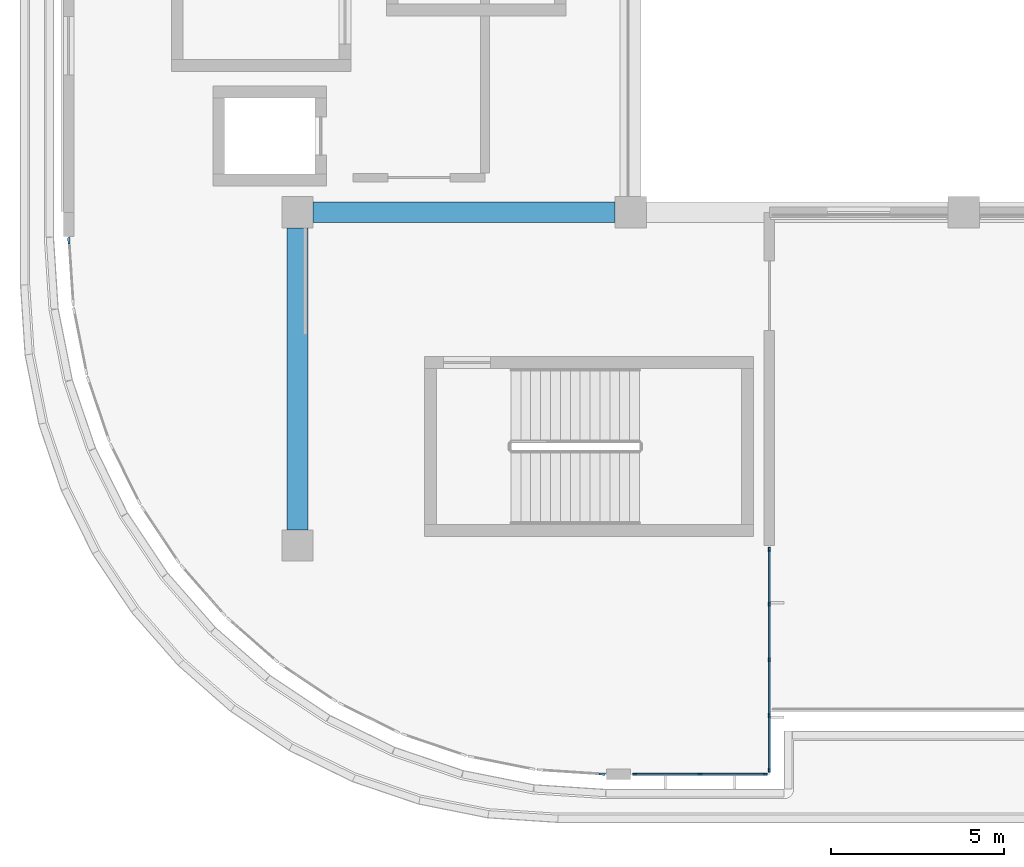
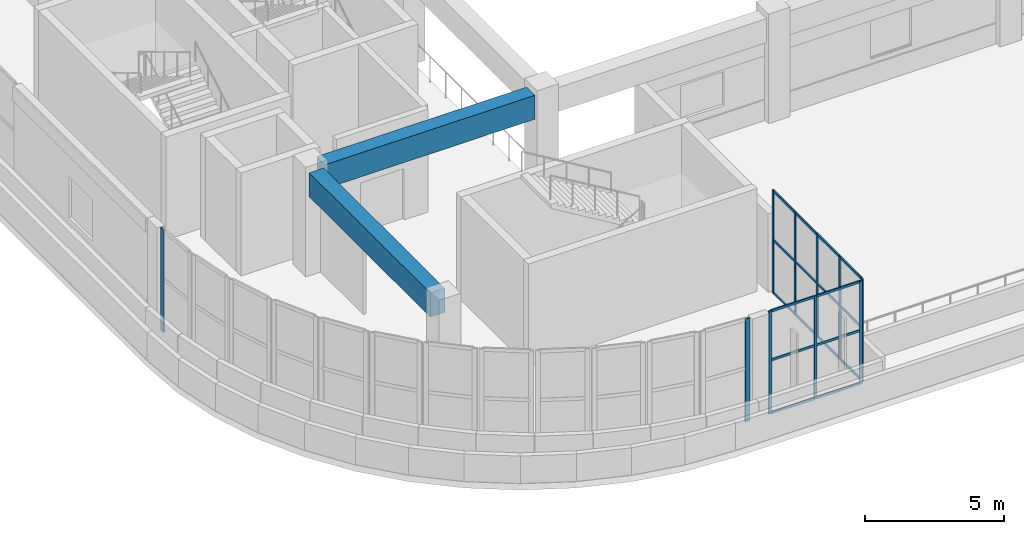
# One storey, part 3 of 96: 28 members, 2 beams, 4 elements without a shape of their own.
"""IFC4 building model written with IfcOpenShell, lengths in metres."""

from ifc_helpers import new_model, si_unit, direction, frame, origin, origin_2d, place, context, subcontext, project, spatial, rectangle, extrude, material, layer, layer_set, material_profile, profile_set, type_object, element, aggregate, save


model = new_model("IFC4")

# Units and contexts
model_context = context("Model", 3, precision=1e-05, world=origin(), true_north=direction((0.0, 1.0)))
body_context = subcontext(model_context, "Body", "Model", "MODEL_VIEW")
ifc_project = project(units=[si_unit("LENGTHUNIT", "METRE"), si_unit("AREAUNIT", "SQUARE_METRE"), si_unit("VOLUMEUNIT", "CUBIC_METRE"), si_unit("PLANEANGLEUNIT", "RADIAN"), si_unit("MASSUNIT", "GRAM", prefix="KILO")], contexts=[model_context])

# Site, building, storey
site_placement = place(None, origin())
site = spatial("IfcSite", under=ifc_project, at=site_placement, CompositionType="ELEMENT")
building_placement = place(site_placement, origin())
building = spatial("IfcBuilding", under=site, at=building_placement, Name="Cendralis Terraced Arcade", CompositionType="ELEMENT")
storey_placement = place(building_placement, frame((0.0, 0.0, 10.199951171875)))
storey = spatial("IfcBuildingStorey", under=building, at=storey_placement, Name="L02", CompositionType="ELEMENT", Elevation=10.199951171875)

# Beams
ifc_material_1 = material(Name="Concrete f'c 35 MPa", Category="concrete")
ifc_material_profile_1 = material_profile(ifc_material_1, rectangle(XDim=0.60009765625, YDim=1.050048828125, at=origin_2d()), Name="RC-BM-600x1050", Category="LoadBearing")
ifc_profile_set_1 = profile_set([ifc_material_profile_1], Name="Concrete f'c 35 MPa")
beam_type = type_object("IfcBeamType", Name="BM-600x1050", PredefinedType="JOIST", material=ifc_profile_set_1)
for number, where, z_axis, x_axis, name in (
    (1, (10.050048828125, 19.199951171875, 3.989990234375), (1.0, 0.0, 0.0), (0.0, 1.0, 0.0), "Reinforced Concrete Frame Beam BM-X-L03-C-2_3"),
    (2, (9.60009765625, 10.050048828125, 3.989990234375), (0.0, 1.0, 0.0), (-1.0, 0.0, 0.0), "Reinforced Concrete Frame Beam BM-Y-L03-2-B_C"),
):
    element("IfcBeam", number, at=place(storey_placement, frame(where, z_axis=z_axis, x_axis=x_axis)), inside=storey, type_object=beam_type, Name=name, PredefinedType="JOIST", context=body_context, shape_type="SweptSolid", body=[
        extrude(rectangle(XDim=0.60009765625, YDim=1.050048828125, at=origin_2d()), origin(), (0.0, 0.0, 1.0), 8.699951171875),
    ])

# Curtain wall, members
ifc_material_2 = material(Name="Anodised aluminium EN AW-6063 T6", Category="aluminium")
ifc_layer_1 = layer(ifc_material_2, 0.1201171875, Name="CW-STORE-B")
ifc_layer_set_1 = layer_set([ifc_layer_1], Name="Anodised aluminium EN AW-6063 T6")
curtain_wall_type_1 = type_object("IfcCurtainWallType", Name="CW-STORE-B", PredefinedType="USERDEFINED", material=ifc_layer_set_1)
curtain_wall_1_placement = place(storey_placement, origin())
curtain_wall_1 = element("IfcCurtainWall", 3, at=curtain_wall_1_placement, inside=storey, type_object=curtain_wall_type_1, Name="Exterior Storefront Glazing CW-L02-0207", ObjectType="STOREFRONT GLAZING", PredefinedType="USERDEFINED")
ifc_material_profile_2 = material_profile(ifc_material_2, rectangle(XDim=0.054931640625, YDim=0.1201171875, at=origin_2d()), Name="ALU-MUL-55x120")
ifc_profile_set_2 = profile_set([ifc_material_profile_2], Name="Anodised aluminium EN AW-6063 T6")
member_type_1 = type_object("IfcMemberType", Name="CW-STORE-B-MUL", PredefinedType="MULLION", material=ifc_profile_set_2)
member_1_placement = place(storey_placement, frame((23.199951171875, 9.482421875, 0.0), z_axis=(0.0, 0.0, 1.0), x_axis=(1.0, 0.0, 0.0)))
member_1 = element("IfcMember", 4, at=member_1_placement, type_object=member_type_1, Name="CW-S2 mullion 1", PredefinedType="MULLION", context=body_context, shape_type="SweptSolid", body=[
    extrude(rectangle(XDim=0.054931640625, YDim=0.1201171875, at=origin_2d()), origin(), (0.0, 0.0, 1.0), 4.51513671875),
])
member_2_placement = place(storey_placement, frame((23.199951171875, 7.905029296875, 0.0), z_axis=(0.0, 0.0, 1.0), x_axis=(1.0, 0.0, 0.0)))
member_2 = element("IfcMember", 5, at=member_2_placement, type_object=member_type_1, Name="CW-S2 mullion 2", PredefinedType="MULLION", context=body_context, shape_type="SweptSolid", body=[
    extrude(rectangle(XDim=0.054931640625, YDim=0.1201171875, at=origin_2d()), origin(), (0.0, 0.0, 1.0), 4.51513671875),
])
member_3_placement = place(storey_placement, frame((23.199951171875, 6.300048828125, 0.0), z_axis=(0.0, 0.0, 1.0), x_axis=(1.0, 0.0, 0.0)))
member_3 = element("IfcMember", 6, at=member_3_placement, type_object=member_type_1, Name="CW-S2 mullion 3", PredefinedType="MULLION", context=body_context, shape_type="SweptSolid", body=[
    extrude(rectangle(XDim=0.054931640625, YDim=0.1201171875, at=origin_2d()), origin(), (0.0, 0.0, 1.0), 4.51513671875),
])
member_4_placement = place(storey_placement, frame((23.199951171875, 4.695068359375, 0.0), z_axis=(0.0, 0.0, 1.0), x_axis=(1.0, 0.0, 0.0)))
member_4 = element("IfcMember", 7, at=member_4_placement, type_object=member_type_1, Name="CW-S2 mullion 4", PredefinedType="MULLION", context=body_context, shape_type="SweptSolid", body=[
    extrude(rectangle(XDim=0.054931640625, YDim=0.1201171875, at=origin_2d()), origin(), (0.0, 0.0, 1.0), 4.51513671875),
])
member_5_placement = place(storey_placement, frame((23.199951171875, 3.117431640625, 0.0), z_axis=(0.0, 0.0, 1.0), x_axis=(1.0, 0.0, 0.0)))
member_5 = element("IfcMember", 8, at=member_5_placement, type_object=member_type_1, Name="CW-S2 mullion 5", PredefinedType="MULLION", context=body_context, shape_type="SweptSolid", body=[
    extrude(rectangle(XDim=0.054931640625, YDim=0.1201171875, at=origin_2d()), origin(), (0.0, 0.0, 1.0), 4.51513671875),
])

curtain_wall_2_placement = place(storey_placement, origin())
curtain_wall_2 = element("IfcCurtainWall", 9, at=curtain_wall_2_placement, inside=storey, type_object=curtain_wall_type_1, Name="Exterior Storefront Glazing CW-L02-0208", ObjectType="STOREFRONT GLAZING", PredefinedType="USERDEFINED")
member_6_placement = place(storey_placement, frame((23.08251953125, 3.0, 0.0), z_axis=(0.0, 0.0, 1.0), x_axis=(0.0, -1.0, 0.0)))
member_6 = element("IfcMember", 10, at=member_6_placement, type_object=member_type_1, Name="CW-S2 mullion 1", PredefinedType="MULLION", context=body_context, shape_type="SweptSolid", body=[
    extrude(rectangle(XDim=0.054931640625, YDim=0.1201171875, at=origin_2d()), origin(), (0.0, 0.0, 1.0), 4.51513671875),
])
member_7_placement = place(storey_placement, frame((21.199951171875, 3.0, 0.0), z_axis=(0.0, 0.0, 1.0), x_axis=(0.0, -1.0, 0.0)))
member_7 = element("IfcMember", 11, at=member_7_placement, type_object=member_type_1, Name="CW-S2 mullion 2", PredefinedType="MULLION", context=body_context, shape_type="SweptSolid", body=[
    extrude(rectangle(XDim=0.054931640625, YDim=0.1201171875, at=origin_2d()), origin(), (0.0, 0.0, 1.0), 4.51513671875),
])
member_8_placement = place(storey_placement, frame((19.3173828125, 3.0, 0.0), z_axis=(0.0, 0.0, 1.0), x_axis=(0.0, -1.0, 0.0)))
member_8 = element("IfcMember", 12, at=member_8_placement, type_object=member_type_1, Name="CW-S2 mullion 3", PredefinedType="MULLION", context=body_context, shape_type="SweptSolid", body=[
    extrude(rectangle(XDim=0.054931640625, YDim=0.1201171875, at=origin_2d()), origin(), (0.0, 0.0, 1.0), 4.51513671875),
])

# Member
ifc_material_profile_3 = material_profile(ifc_material_2, rectangle(XDim=0.054931640625, YDim=0.10009765625, at=origin_2d()), Name="ALU-TRN-55x100")
ifc_profile_set_3 = profile_set([ifc_material_profile_3], Name="Anodised aluminium EN AW-6063 T6")
member_type_2 = type_object("IfcMemberType", Name="CW-STORE-B-TRN", PredefinedType="USERDEFINED", material=ifc_profile_set_3)
member_9_placement = place(storey_placement, frame((23.199951171875, 9.455078125, 0.027587890625), z_axis=(0.0, -1.0, 0.0), x_axis=(1.0, 0.0, 0.0)))
member_9 = element("IfcMember", 13, at=member_9_placement, type_object=member_type_2, Name="CW-S2 transom 1.1", ObjectType="TRANSOM", PredefinedType="USERDEFINED", context=body_context, shape_type="SweptSolid", body=[
    extrude(rectangle(XDim=0.054931640625, YDim=0.10009765625, at=origin_2d()), origin(), (0.0, 0.0, 1.0), 1.5224609375),
])

member_10_placement = place(storey_placement, frame((23.199951171875, 9.455078125, 2.347900390625), z_axis=(0.0, -1.0, 0.0), x_axis=(1.0, 0.0, 0.0)))
member_10 = element("IfcMember", 14, at=member_10_placement, type_object=member_type_2, Name="CW-S2 transom 1.2", ObjectType="TRANSOM", PredefinedType="USERDEFINED", context=body_context, shape_type="SweptSolid", body=[
    extrude(rectangle(XDim=0.054931640625, YDim=0.10009765625, at=origin_2d()), origin(), (0.0, 0.0, 1.0), 1.5224609375),
])

member_11_placement = place(storey_placement, frame((23.199951171875, 9.455078125, 4.487548828125), z_axis=(0.0, -1.0, 0.0), x_axis=(1.0, 0.0, 0.0)))
member_11 = element("IfcMember", 15, at=member_11_placement, type_object=member_type_2, Name="CW-S2 transom 1.3", ObjectType="TRANSOM", PredefinedType="USERDEFINED", context=body_context, shape_type="SweptSolid", body=[
    extrude(rectangle(XDim=0.054931640625, YDim=0.10009765625, at=origin_2d()), origin(), (0.0, 0.0, 1.0), 1.5224609375),
])

member_12_placement = place(storey_placement, frame((23.199951171875, 7.87744140625, 0.027587890625), z_axis=(0.0, -1.0, 0.0), x_axis=(1.0, 0.0, 0.0)))
member_12 = element("IfcMember", 16, at=member_12_placement, type_object=member_type_2, Name="CW-S2 transom 2.1", ObjectType="TRANSOM", PredefinedType="USERDEFINED", context=body_context, shape_type="SweptSolid", body=[
    extrude(rectangle(XDim=0.054931640625, YDim=0.10009765625, at=origin_2d()), origin(), (0.0, 0.0, 1.0), 1.550048828125),
])

member_13_placement = place(storey_placement, frame((23.199951171875, 7.87744140625, 2.347900390625), z_axis=(0.0, -1.0, 0.0), x_axis=(1.0, 0.0, 0.0)))
member_13 = element("IfcMember", 17, at=member_13_placement, type_object=member_type_2, Name="CW-S2 transom 2.2", ObjectType="TRANSOM", PredefinedType="USERDEFINED", context=body_context, shape_type="SweptSolid", body=[
    extrude(rectangle(XDim=0.054931640625, YDim=0.10009765625, at=origin_2d()), origin(), (0.0, 0.0, 1.0), 1.550048828125),
])

member_14_placement = place(storey_placement, frame((23.199951171875, 7.87744140625, 4.487548828125), z_axis=(0.0, -1.0, 0.0), x_axis=(1.0, 0.0, 0.0)))
member_14 = element("IfcMember", 18, at=member_14_placement, type_object=member_type_2, Name="CW-S2 transom 2.3", ObjectType="TRANSOM", PredefinedType="USERDEFINED", context=body_context, shape_type="SweptSolid", body=[
    extrude(rectangle(XDim=0.054931640625, YDim=0.10009765625, at=origin_2d()), origin(), (0.0, 0.0, 1.0), 1.550048828125),
])

member_15_placement = place(storey_placement, frame((23.199951171875, 6.2724609375, 0.027587890625), z_axis=(0.0, -1.0, 0.0), x_axis=(1.0, 0.0, 0.0)))
member_15 = element("IfcMember", 19, at=member_15_placement, type_object=member_type_2, Name="CW-S2 transom 3.1", ObjectType="TRANSOM", PredefinedType="USERDEFINED", context=body_context, shape_type="SweptSolid", body=[
    extrude(rectangle(XDim=0.054931640625, YDim=0.10009765625, at=origin_2d()), origin(), (0.0, 0.0, 1.0), 1.550048828125),
])

member_16_placement = place(storey_placement, frame((23.199951171875, 6.2724609375, 2.347900390625), z_axis=(0.0, -1.0, 0.0), x_axis=(1.0, 0.0, 0.0)))
member_16 = element("IfcMember", 20, at=member_16_placement, type_object=member_type_2, Name="CW-S2 transom 3.2", ObjectType="TRANSOM", PredefinedType="USERDEFINED", context=body_context, shape_type="SweptSolid", body=[
    extrude(rectangle(XDim=0.054931640625, YDim=0.10009765625, at=origin_2d()), origin(), (0.0, 0.0, 1.0), 1.550048828125),
])

member_17_placement = place(storey_placement, frame((23.199951171875, 6.2724609375, 4.487548828125), z_axis=(0.0, -1.0, 0.0), x_axis=(1.0, 0.0, 0.0)))
member_17 = element("IfcMember", 21, at=member_17_placement, type_object=member_type_2, Name="CW-S2 transom 3.3", ObjectType="TRANSOM", PredefinedType="USERDEFINED", context=body_context, shape_type="SweptSolid", body=[
    extrude(rectangle(XDim=0.054931640625, YDim=0.10009765625, at=origin_2d()), origin(), (0.0, 0.0, 1.0), 1.550048828125),
])

member_18_placement = place(storey_placement, frame((23.199951171875, 4.66748046875, 0.027587890625), z_axis=(0.0, -1.0, 0.0), x_axis=(1.0, 0.0, 0.0)))
member_18 = element("IfcMember", 22, at=member_18_placement, type_object=member_type_2, Name="CW-S2 transom 4.1", ObjectType="TRANSOM", PredefinedType="USERDEFINED", context=body_context, shape_type="SweptSolid", body=[
    extrude(rectangle(XDim=0.054931640625, YDim=0.10009765625, at=origin_2d()), origin(), (0.0, 0.0, 1.0), 1.5224609375),
])

member_19_placement = place(storey_placement, frame((23.199951171875, 4.66748046875, 2.347900390625), z_axis=(0.0, -1.0, 0.0), x_axis=(1.0, 0.0, 0.0)))
member_19 = element("IfcMember", 23, at=member_19_placement, type_object=member_type_2, Name="CW-S2 transom 4.2", ObjectType="TRANSOM", PredefinedType="USERDEFINED", context=body_context, shape_type="SweptSolid", body=[
    extrude(rectangle(XDim=0.054931640625, YDim=0.10009765625, at=origin_2d()), origin(), (0.0, 0.0, 1.0), 1.5224609375),
])

member_20_placement = place(storey_placement, frame((23.199951171875, 4.66748046875, 4.487548828125), z_axis=(0.0, -1.0, 0.0), x_axis=(1.0, 0.0, 0.0)))
member_20 = element("IfcMember", 24, at=member_20_placement, type_object=member_type_2, Name="CW-S2 transom 4.3", ObjectType="TRANSOM", PredefinedType="USERDEFINED", context=body_context, shape_type="SweptSolid", body=[
    extrude(rectangle(XDim=0.054931640625, YDim=0.10009765625, at=origin_2d()), origin(), (0.0, 0.0, 1.0), 1.5224609375),
])

aggregate(curtain_wall_1, [member_1, member_2, member_3, member_4, member_5, member_9, member_10, member_11, member_12, member_13, member_14, member_15, member_16, member_17, member_18, member_19, member_20])

member_21_placement = place(storey_placement, frame((23.054931640625, 3.0, 0.027587890625), z_axis=(-1.0, 0.0, 0.0), x_axis=(0.0, -1.0, 0.0)))
member_21 = element("IfcMember", 25, at=member_21_placement, type_object=member_type_2, Name="CW-S2 transom 1.1", ObjectType="TRANSOM", PredefinedType="USERDEFINED", context=body_context, shape_type="SweptSolid", body=[
    extrude(rectangle(XDim=0.054931640625, YDim=0.10009765625, at=origin_2d()), origin(), (0.0, 0.0, 1.0), 1.827392578125),
])

member_22_placement = place(storey_placement, frame((23.054931640625, 3.0, 2.347900390625), z_axis=(-1.0, 0.0, 0.0), x_axis=(0.0, -1.0, 0.0)))
member_22 = element("IfcMember", 26, at=member_22_placement, type_object=member_type_2, Name="CW-S2 transom 1.2", ObjectType="TRANSOM", PredefinedType="USERDEFINED", context=body_context, shape_type="SweptSolid", body=[
    extrude(rectangle(XDim=0.054931640625, YDim=0.10009765625, at=origin_2d()), origin(), (0.0, 0.0, 1.0), 1.827392578125),
])

member_23_placement = place(storey_placement, frame((23.054931640625, 3.0, 4.487548828125), z_axis=(-1.0, 0.0, 0.0), x_axis=(0.0, -1.0, 0.0)))
member_23 = element("IfcMember", 27, at=member_23_placement, type_object=member_type_2, Name="CW-S2 transom 1.3", ObjectType="TRANSOM", PredefinedType="USERDEFINED", context=body_context, shape_type="SweptSolid", body=[
    extrude(rectangle(XDim=0.054931640625, YDim=0.10009765625, at=origin_2d()), origin(), (0.0, 0.0, 1.0), 1.827392578125),
])

member_24_placement = place(storey_placement, frame((21.172607421875, 3.0, 0.027587890625), z_axis=(-1.0, 0.0, 0.0), x_axis=(0.0, -1.0, 0.0)))
member_24 = element("IfcMember", 28, at=member_24_placement, type_object=member_type_2, Name="CW-S2 transom 2.1", ObjectType="TRANSOM", PredefinedType="USERDEFINED", context=body_context, shape_type="SweptSolid", body=[
    extrude(rectangle(XDim=0.054931640625, YDim=0.10009765625, at=origin_2d()), origin(), (0.0, 0.0, 1.0), 1.82763671875),
])

member_25_placement = place(storey_placement, frame((21.172607421875, 3.0, 2.347900390625), z_axis=(-1.0, 0.0, 0.0), x_axis=(0.0, -1.0, 0.0)))
member_25 = element("IfcMember", 29, at=member_25_placement, type_object=member_type_2, Name="CW-S2 transom 2.2", ObjectType="TRANSOM", PredefinedType="USERDEFINED", context=body_context, shape_type="SweptSolid", body=[
    extrude(rectangle(XDim=0.054931640625, YDim=0.10009765625, at=origin_2d()), origin(), (0.0, 0.0, 1.0), 1.82763671875),
])

member_26_placement = place(storey_placement, frame((21.172607421875, 3.0, 4.487548828125), z_axis=(-1.0, 0.0, 0.0), x_axis=(0.0, -1.0, 0.0)))
member_26 = element("IfcMember", 30, at=member_26_placement, type_object=member_type_2, Name="CW-S2 transom 2.3", ObjectType="TRANSOM", PredefinedType="USERDEFINED", context=body_context, shape_type="SweptSolid", body=[
    extrude(rectangle(XDim=0.054931640625, YDim=0.10009765625, at=origin_2d()), origin(), (0.0, 0.0, 1.0), 1.82763671875),
])

aggregate(curtain_wall_2, [member_6, member_7, member_8, member_21, member_22, member_23, member_24, member_25, member_26])

# Curtain wall, member
ifc_layer_2 = layer(ifc_material_2, 0.179931640625, Name="CW-UNIT-A")
ifc_layer_set_2 = layer_set([ifc_layer_2], Name="Anodised aluminium EN AW-6063 T6")
curtain_wall_type_2 = type_object("IfcCurtainWallType", Name="CW-UNIT-A", PredefinedType="USERDEFINED", material=ifc_layer_set_2)
curtain_wall_3_placement = place(storey_placement, origin())
curtain_wall_3 = element("IfcCurtainWall", 31, at=curtain_wall_3_placement, inside=storey, type_object=curtain_wall_type_2, Name="Exterior Unitised Facade CW-L02-0209", ObjectType="UNITISED FACADE", PredefinedType="USERDEFINED")
ifc_material_profile_4 = material_profile(ifc_material_2, rectangle(XDim=0.06494140625, YDim=0.179931640625, at=origin_2d()), Name="ALU-MUL-65x180")
ifc_profile_set_4 = profile_set([ifc_material_profile_4], Name="Anodised aluminium EN AW-6063 T6")
member_type_3 = type_object("IfcMemberType", Name="CW-UNIT-A-MUL", PredefinedType="MULLION", material=ifc_profile_set_4)
member_27_placement = place(storey_placement, frame((18.377685546875, 3.008056640625, 0.0), z_axis=(0.0, 0.0, 1.0), x_axis=(-0.065383766124, -0.997860192175, 0.0)))
member_27 = element("IfcMember", 32, at=member_27_placement, type_object=member_type_3, Name="CW-U1 mullion 1", PredefinedType="MULLION", context=body_context, shape_type="SweptSolid", body=[
    extrude(rectangle(XDim=0.06494140625, YDim=0.179931640625, at=origin_2d()), origin(), (0.0, 0.0, 1.0), 4.51513671875),
])
aggregate(curtain_wall_3, [member_27])

curtain_wall_4_placement = place(storey_placement, origin())
curtain_wall_4 = element("IfcCurtainWall", 33, at=curtain_wall_4_placement, inside=storey, type_object=curtain_wall_type_2, Name="Exterior Unitised Facade CW-L02-0220", ObjectType="UNITISED FACADE", PredefinedType="USERDEFINED")
member_28_placement = place(storey_placement, frame((3.008056640625, 18.377685546875, 0.0), z_axis=(0.0, 0.0, 1.0), x_axis=(-0.997860192175, -0.065383766124, 0.0)))
member_28 = element("IfcMember", 34, at=member_28_placement, type_object=member_type_3, Name="CW-U1 mullion 2", PredefinedType="MULLION", context=body_context, shape_type="SweptSolid", body=[
    extrude(rectangle(XDim=0.06494140625, YDim=0.179931640625, at=origin_2d()), origin(), (0.0, 0.0, 1.0), 4.51513671875),
])
aggregate(curtain_wall_4, [member_28])

save(model, "model.ifc")
